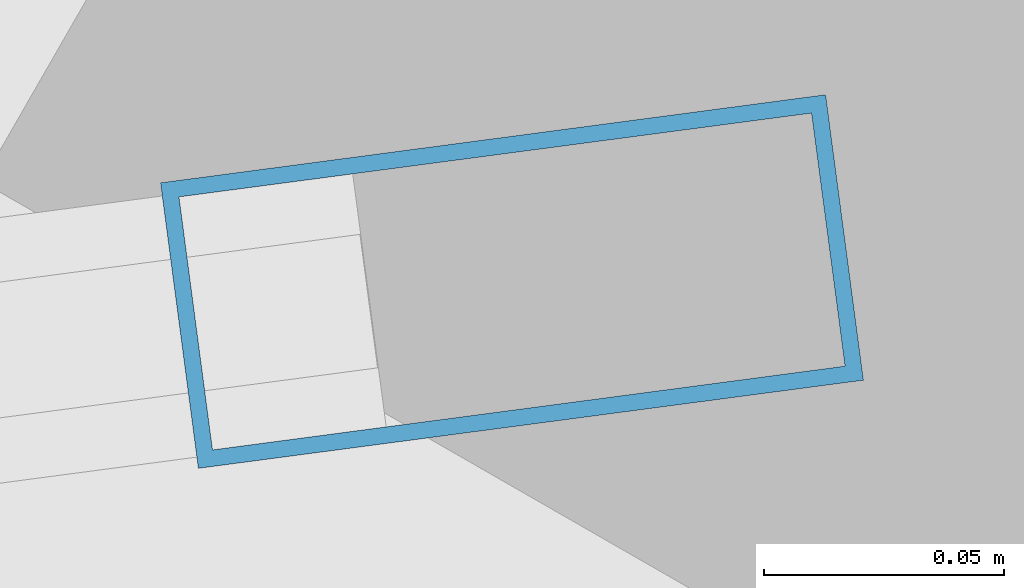
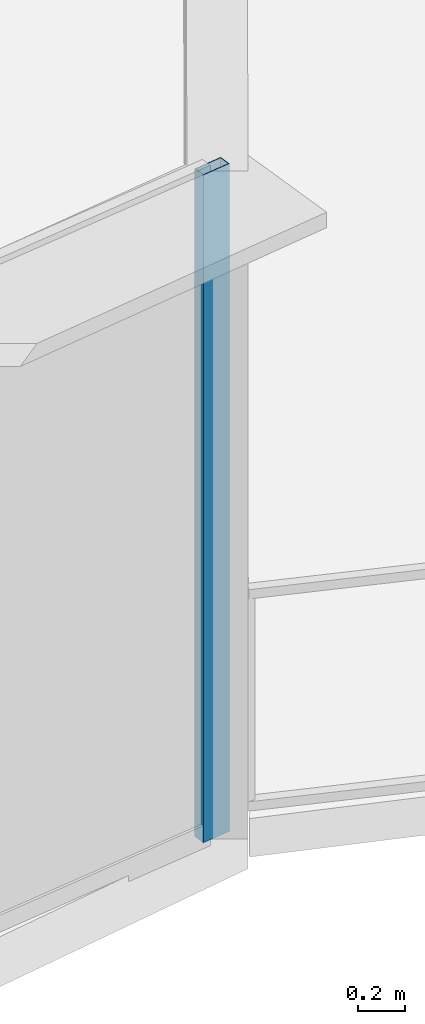
# One storey, part 15 of 39: 1 member, 1 element without a shape of its own.
"""IFC4 building model written with IfcOpenShell, lengths in metres."""

import ifcopenshell
import ifcopenshell.guid

model = None  # the IFC model being written
_history = None  # IfcOwnerHistory: only IFC2X3 demands one
_inside = {}  # id of a spatial element -> (the spatial element, [elements in it])
_under = {}  # id of a project, library or spatial element -> (it, [spatial elements below it])
_declared = {}  # id of a project -> (the project, [libraries it declares])
_typed = {}  # id of a type object -> (the type object, [elements of that type])
_made_of = {}  # id of a material, layer set ... -> (it, [elements and type objects made of it])


def new_model(schema):
    """Start an empty IFC model of exactly this schema.

    Asked for "IFC4X3", IfcOpenShell would pick the latest addendum, in which some entities
    have other attributes; the version numbers below select the first issue.
    IFC2X3 requires an IfcOwnerHistory on every rooted entity: one is made here for all.
    """
    global model, _history
    if schema == "IFC4X3":
        model = ifcopenshell.file(schema_version=(4, 3, 0, 0))
    else:
        model = ifcopenshell.file(schema=schema)
    _inside.clear()
    _under.clear()
    _declared.clear()
    _typed.clear()
    _made_of.clear()
    _history = None
    if model.schema == "IFC2X3":
        org = make("IfcOrganization", Name="unknown")
        user = make(
            "IfcPersonAndOrganization",
            ThePerson=make("IfcPerson", FamilyName="unknown"),
            TheOrganization=org,
        )
        app = make(
            "IfcApplication",
            ApplicationDeveloper=org,
            Version="unknown",
            ApplicationFullName="unknown",
            ApplicationIdentifier="unknown",
        )
        _history = make(
            "IfcOwnerHistory",
            OwningUser=user,
            OwningApplication=app,
            ChangeAction="ADDED",
            CreationDate=0,
        )
    return model


def make(cls, **values):
    """One entity of the class cls with the attributes given. An attribute that is None is left unset."""
    return model.create_entity(
        cls, **{name: value for name, value in values.items() if value is not None}
    )


def rooted(cls, **values):
    """An entity with a GlobalId (a new one), such as an element, a storey or a relation."""
    return make(cls, GlobalId=ifcopenshell.guid.new(), OwnerHistory=_history, **values)


def si_unit(unit_type, name, prefix=None):
    """IfcSIUnit, for example si_unit("LENGTHUNIT", "METRE", prefix="MILLI")."""
    return make("IfcSIUnit", UnitType=unit_type, Prefix=prefix, Name=name)


def assignment(units):
    """IfcUnitAssignment: the units of a project."""
    return None if units is None else make("IfcUnitAssignment", Units=units)


def point(xyz):
    """IfcCartesianPoint."""
    return None if xyz is None else make("IfcCartesianPoint", Coordinates=xyz)


def direction(xyz):
    """IfcDirection."""
    return None if xyz is None else make("IfcDirection", DirectionRatios=xyz)


def frame(location, z_axis=None, x_axis=None):
    """IfcAxis2Placement3D, a coordinate frame: its origin and axes. An axis left out is left unset."""
    return make(
        "IfcAxis2Placement3D",
        Location=point(location),
        Axis=direction(z_axis),
        RefDirection=direction(x_axis),
    )


def frame_2d(location, x_axis=None):
    """IfcAxis2Placement2D, a coordinate frame in the plane: its origin and x axis."""
    return make(
        "IfcAxis2Placement2D", Location=point(location), RefDirection=direction(x_axis)
    )


def origin():
    """The frame at (0, 0, 0) with its axes left unset."""
    return frame((0.0, 0.0, 0.0))


def origin_2d():
    """The frame at (0, 0) in the plane with its x axis left unset."""
    return frame_2d((0.0, 0.0))


def place(relative_to, where):
    """IfcLocalPlacement: puts the frame where relative to a parent placement (None: the world)."""
    return make(
        "IfcLocalPlacement", PlacementRelTo=relative_to, RelativePlacement=where
    )


def context(
    kind, dimensions, precision=None, world=None, true_north=None, identifier=None
):
    """IfcGeometricRepresentationContext, for example the 3D "Model" context."""
    return make(
        "IfcGeometricRepresentationContext",
        ContextIdentifier=identifier,
        ContextType=kind,
        CoordinateSpaceDimension=dimensions,
        Precision=precision,
        WorldCoordinateSystem=world,
        TrueNorth=true_north,
    )


def subcontext(parent, identifier, kind, view, scale=None):
    """IfcGeometricRepresentationSubContext, for example "Body" below "Model"."""
    return make(
        "IfcGeometricRepresentationSubContext",
        ContextIdentifier=identifier,
        ContextType=kind,
        ParentContext=parent,
        TargetScale=scale,
        TargetView=view,
    )


def project(units=None, contexts=None):
    """IfcProject with its units and contexts."""
    return rooted(
        "IfcProject",
        Name="project",
        RepresentationContexts=contexts,
        UnitsInContext=assignment(units),
    )


def spatial(cls, under=None, at=None, **own):
    """A site, building, storey or space (cls), placed at a placement, below another one or the project."""
    s = rooted(cls, ObjectPlacement=at, **own)
    if under is not None:
        _under.setdefault(under.id(), (under, []))[1].append(s)
    return s


def profile(cls, at=None, kind="AREA", **sizes):
    """A parametric profile (cls). Its sizes go by their IFC names, for example OverallWidth=200.0."""
    return make(cls, ProfileType=kind, Position=at, **sizes)


def hollow_rectangle(**sizes):
    """IfcRectangleHollowProfileDef."""
    return profile("IfcRectangleHollowProfileDef", **sizes)


def extrude(swept, where, along, depth):
    """IfcExtrudedAreaSolid: the profile swept, set in the frame where, extruded along a direction by depth."""
    return make(
        "IfcExtrudedAreaSolid",
        SweptArea=swept,
        Position=where,
        ExtrudedDirection=direction(along),
        Depth=depth,
    )


def shape(context_of_items, identifier, shape_type, items):
    """IfcShapeRepresentation: the items that make up one representation, for example the "Body"."""
    return make(
        "IfcShapeRepresentation",
        ContextOfItems=context_of_items,
        RepresentationIdentifier=identifier,
        RepresentationType=shape_type,
        Items=items,
    )


def source(mapping_origin, context_of_items, identifier, shape_type, items):
    """IfcRepresentationMap: a shape defined once, which mapped items show again and again."""
    return make(
        "IfcRepresentationMap",
        MappingOrigin=mapping_origin,
        MappedRepresentation=shape(context_of_items, identifier, shape_type, items),
    )


def transform(
    local_origin,
    x_axis=None,
    y_axis=None,
    z_axis=None,
    scale=None,
    scale2=None,
    scale3=None,
    uniform=True,
):
    """IfcCartesianTransformationOperator3D, or its non-uniform kind. x_axis, y_axis, z_axis: its Axis1, 2, 3."""
    if uniform:
        return make(
            "IfcCartesianTransformationOperator3D",
            Axis1=direction(x_axis),
            Axis2=direction(y_axis),
            LocalOrigin=point(local_origin),
            Scale=scale,
            Axis3=direction(z_axis),
        )
    return make(
        "IfcCartesianTransformationOperator3DnonUniform",
        Axis1=direction(x_axis),
        Axis2=direction(y_axis),
        LocalOrigin=point(local_origin),
        Scale=scale,
        Axis3=direction(z_axis),
        Scale2=scale2,
        Scale3=scale3,
    )


def mapped(mapping_source, mapping_target):
    """IfcMappedItem: shows the shape of a source again, moved by a transform."""
    return make(
        "IfcMappedItem", MappingSource=mapping_source, MappingTarget=mapping_target
    )


def material(Name=None, Category=None):
    """IfcMaterial."""
    return make("IfcMaterial", Name=Name, Category=Category)


def layer(
    of_material, thickness, ventilated=None, Name=None, Category=None, Priority=None
):
    """IfcMaterialLayer: one layer of a wall or slab, of a material (None: an air gap)."""
    return make(
        "IfcMaterialLayer",
        Material=of_material,
        LayerThickness=thickness,
        IsVentilated=ventilated,
        Name=Name,
        Category=Category,
        Priority=Priority,
    )


def layer_set(layers, Name=None):
    """IfcMaterialLayerSet."""
    return make("IfcMaterialLayerSet", MaterialLayers=layers, LayerSetName=Name)


def material_profile(
    of_material, cross_section, Name=None, Category=None, Priority=None
):
    """IfcMaterialProfile: a cross section and its material."""
    return make(
        "IfcMaterialProfile",
        Name=Name,
        Material=of_material,
        Profile=cross_section,
        Priority=Priority,
        Category=Category,
    )


def profile_set(profiles, Name=None, composite=None):
    """IfcMaterialProfileSet."""
    return make(
        "IfcMaterialProfileSet",
        Name=Name,
        MaterialProfiles=profiles,
        CompositeProfile=composite,
    )


def made_of(thing, what):
    """Note that an element or type object is made of a material, layer set ...; save() writes the relation."""
    if what is not None:
        _made_of.setdefault(what.id(), (what, []))[1].append(thing)
    return thing


def type_object(cls, material=None, **own):
    """A type object (cls), such as IfcWallType, which elements share."""
    return made_of(rooted(cls, **own), material)


def element(
    cls,
    number,
    at=None,
    inside=None,
    cuts=None,
    type_object=None,
    material=None,
    context=None,
    identifier="Body",
    shape_type=None,
    held_by="IfcProductDefinitionShape",
    body=None,
    shapes=None,
    **own,
):
    """One element of the class cls, such as IfcWall. Its Tag is "e" and its number.

    at: its placement. inside: the storey or other place that contains it. cuts: it is an
    opening in that element (IfcRelVoidsElement). A single representation is given by context,
    identifier, shape_type and body (its items); several are given by shapes. held_by: the class
    of the entity that holds the representations. save() writes the other relations.
    """
    e = rooted(cls, Tag="e%d" % number, ObjectPlacement=at, **own)
    if body is not None:
        shapes = [shape(context, identifier, shape_type, body)]
    if shapes is not None:
        e.Representation = make(held_by, Representations=shapes)
    if inside is not None:
        _inside.setdefault(inside.id(), (inside, []))[1].append(e)
    if cuts is not None:
        rooted(
            "IfcRelVoidsElement", RelatingBuildingElement=cuts, RelatedOpeningElement=e
        )
    if type_object is not None:
        _typed.setdefault(type_object.id(), (type_object, []))[1].append(e)
    return made_of(e, material)


def aggregate(whole, parts):
    """IfcRelAggregates: a whole, such as a stair, and the parts it consists of."""
    return rooted("IfcRelAggregates", RelatingObject=whole, RelatedObjects=parts)


def save(model, path):
    """Write the relations noted so far, then the file.

    IfcRelAggregates (storeys below a building ...), IfcRelContainedInSpatialStructure (elements
    in a storey), IfcRelDefinesByType, IfcRelAssociatesMaterial and IfcRelDeclares: one each for
    every whole, place, type object, material and project.
    """
    for whole, parts in _under.values():
        aggregate(whole, parts)
    for where, things in _inside.values():
        rooted(
            "IfcRelContainedInSpatialStructure",
            RelatedElements=things,
            RelatingStructure=where,
        )
    for kind, things in _typed.values():
        rooted("IfcRelDefinesByType", RelatedObjects=things, RelatingType=kind)
    for what, things in _made_of.values():
        rooted("IfcRelAssociatesMaterial", RelatedObjects=things, RelatingMaterial=what)
    for by, libraries in _declared.values():
        rooted("IfcRelDeclares", RelatingContext=by, RelatedDefinitions=libraries)
    model.write(path)


model = new_model("IFC4")

# Units and contexts
model_context = context("Model", 3, precision=1e-05, world=origin(), true_north=direction((0.0, 1.0)))
body_context = subcontext(model_context, "Body", "Model", "MODEL_VIEW")
ifc_project = project(units=[si_unit("LENGTHUNIT", "METRE"), si_unit("AREAUNIT", "SQUARE_METRE"), si_unit("VOLUMEUNIT", "CUBIC_METRE"), si_unit("PLANEANGLEUNIT", "RADIAN"), si_unit("MASSUNIT", "GRAM", prefix="KILO"), si_unit("THERMODYNAMICTEMPERATUREUNIT", "KELVIN"), si_unit("POWERUNIT", "WATT")], contexts=[model_context])

# Site, building, storey
site_placement = place(None, origin())
site = spatial("IfcSite", under=ifc_project, at=site_placement, CompositionType="ELEMENT")
building_placement = place(site_placement, origin())
building = spatial("IfcBuilding", under=site, at=building_placement, Name="Yunzhuo Pagoda Commons", CompositionType="ELEMENT")
storey_placement = place(building_placement, frame((0.0, 0.0, 285.02001953125)))
storey = spatial("IfcBuildingStorey", under=building, at=storey_placement, Name="L71", CompositionType="ELEMENT", Elevation=285.02001953125)

# Curtain wall, member
ifc_material = material(Name="Anodized aluminium 6063-T6", Category="aluminium")
ifc_layer = layer(ifc_material, 0.139892578125)
ifc_layer_set = layer_set([ifc_layer], Name="Anodized aluminium 6063-T6")
curtain_wall_type = type_object("IfcCurtainWallType", Name="CW-HI High-Zone Ribbon Curtain Wall", PredefinedType="NOTDEFINED", material=ifc_layer_set)
curtain_wall_placement = place(storey_placement, origin())
curtain_wall = element("IfcCurtainWall", 1, at=curtain_wall_placement, inside=storey, type_object=curtain_wall_type, Name="L71 curtain wall CW-L71-F1B5", PredefinedType="NOTDEFINED")
ifc_material_profile = material_profile(ifc_material, hollow_rectangle(XDim=0.06005859375, YDim=0.139892578125, WallThickness=0.00341796875, at=origin_2d()), Name="Anodized aluminium 6063-T6")
ifc_profile_set = profile_set([ifc_material_profile], Name="Anodized aluminium 6063-T6")
member_type = type_object("IfcMemberType", Name="CW-HI-M Mullion RHS 140x60x3.5", PredefinedType="MULLION", material=ifc_profile_set)
shared_shape = source(origin(), body_context, "Body", "SweptSolid", [
    extrude(hollow_rectangle(XDim=0.06005859375, YDim=0.139892578125, WallThickness=0.00341796875, at=origin_2d()), origin(), (0.0, 0.0, 1.0), 3.4697265625),
])
member_placement = place(storey_placement, frame((76.964111328125, 20.89306640625, 0.000244140625), z_axis=(0.0, 0.0, 1.0), x_axis=(-0.131311416098, 0.991341168318, 0.0)))
member = element("IfcMember", 2, at=member_placement, type_object=member_type, Name="CW mullion 2", PredefinedType="MULLION", context=body_context, shape_type="MappedRepresentation", body=[
    mapped(shared_shape, transform((0.0, 0.0, 0.0), scale=1.0)),
])
aggregate(curtain_wall, [member])

save(model, "model.ifc")
